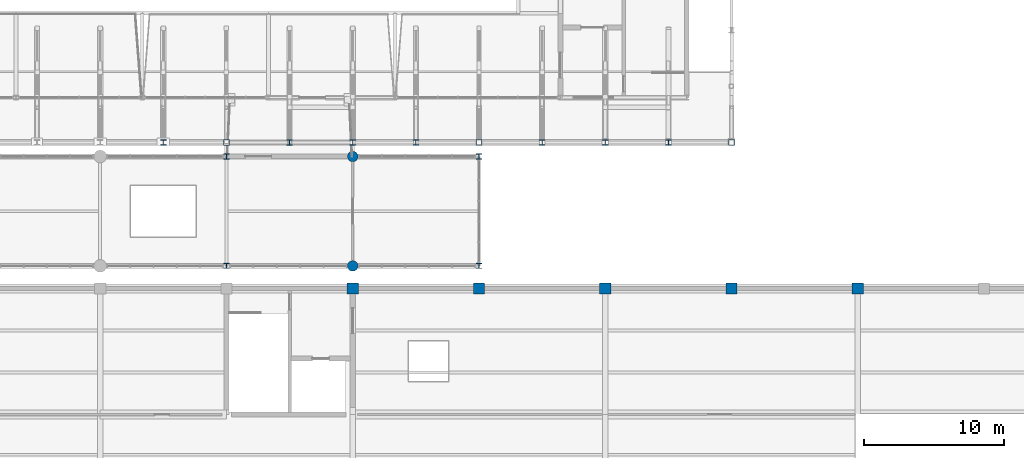
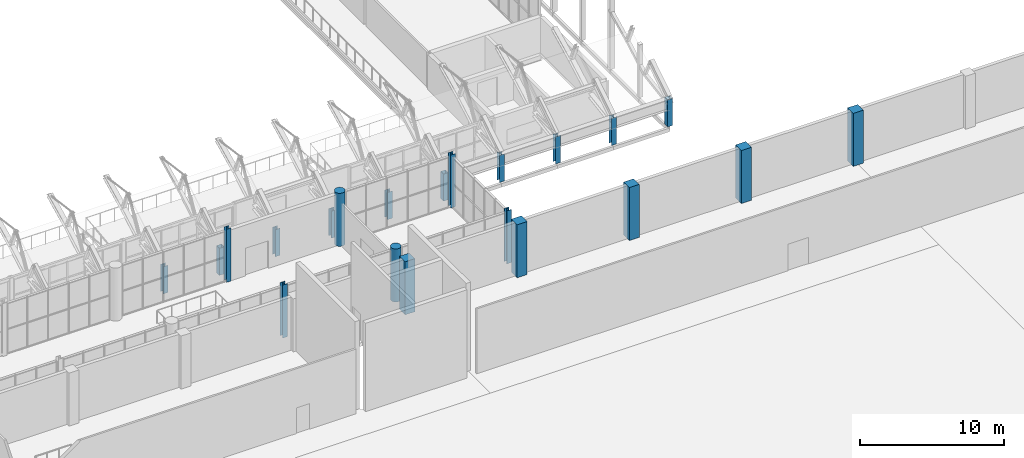
# One storey, part 17 of 134: 21 columns.
"""IFC4 building model written with IfcOpenShell, lengths in metres."""

import ifcopenshell
import ifcopenshell.guid

model = None  # the IFC model being written
_history = None  # IfcOwnerHistory: only IFC2X3 demands one
_inside = {}  # id of a spatial element -> (the spatial element, [elements in it])
_under = {}  # id of a project, library or spatial element -> (it, [spatial elements below it])
_declared = {}  # id of a project -> (the project, [libraries it declares])
_typed = {}  # id of a type object -> (the type object, [elements of that type])
_made_of = {}  # id of a material, layer set ... -> (it, [elements and type objects made of it])


def new_model(schema):
    """Start an empty IFC model of exactly this schema.

    Asked for "IFC4X3", IfcOpenShell would pick the latest addendum, in which some entities
    have other attributes; the version numbers below select the first issue.
    IFC2X3 requires an IfcOwnerHistory on every rooted entity: one is made here for all.
    """
    global model, _history
    if schema == "IFC4X3":
        model = ifcopenshell.file(schema_version=(4, 3, 0, 0))
    else:
        model = ifcopenshell.file(schema=schema)
    _inside.clear()
    _under.clear()
    _declared.clear()
    _typed.clear()
    _made_of.clear()
    _history = None
    if model.schema == "IFC2X3":
        org = make("IfcOrganization", Name="unknown")
        user = make(
            "IfcPersonAndOrganization",
            ThePerson=make("IfcPerson", FamilyName="unknown"),
            TheOrganization=org,
        )
        app = make(
            "IfcApplication",
            ApplicationDeveloper=org,
            Version="unknown",
            ApplicationFullName="unknown",
            ApplicationIdentifier="unknown",
        )
        _history = make(
            "IfcOwnerHistory",
            OwningUser=user,
            OwningApplication=app,
            ChangeAction="ADDED",
            CreationDate=0,
        )
    return model


def make(cls, **values):
    """One entity of the class cls with the attributes given. An attribute that is None is left unset."""
    return model.create_entity(
        cls, **{name: value for name, value in values.items() if value is not None}
    )


def rooted(cls, **values):
    """An entity with a GlobalId (a new one), such as an element, a storey or a relation."""
    return make(cls, GlobalId=ifcopenshell.guid.new(), OwnerHistory=_history, **values)


def si_unit(unit_type, name, prefix=None):
    """IfcSIUnit, for example si_unit("LENGTHUNIT", "METRE", prefix="MILLI")."""
    return make("IfcSIUnit", UnitType=unit_type, Prefix=prefix, Name=name)


def assignment(units):
    """IfcUnitAssignment: the units of a project."""
    return None if units is None else make("IfcUnitAssignment", Units=units)


def point(xyz):
    """IfcCartesianPoint."""
    return None if xyz is None else make("IfcCartesianPoint", Coordinates=xyz)


def direction(xyz):
    """IfcDirection."""
    return None if xyz is None else make("IfcDirection", DirectionRatios=xyz)


def frame(location, z_axis=None, x_axis=None):
    """IfcAxis2Placement3D, a coordinate frame: its origin and axes. An axis left out is left unset."""
    return make(
        "IfcAxis2Placement3D",
        Location=point(location),
        Axis=direction(z_axis),
        RefDirection=direction(x_axis),
    )


def frame_2d(location, x_axis=None):
    """IfcAxis2Placement2D, a coordinate frame in the plane: its origin and x axis."""
    return make(
        "IfcAxis2Placement2D", Location=point(location), RefDirection=direction(x_axis)
    )


def origin():
    """The frame at (0, 0, 0) with its axes left unset."""
    return frame((0.0, 0.0, 0.0))


def origin_2d():
    """The frame at (0, 0) in the plane with its x axis left unset."""
    return frame_2d((0.0, 0.0))


def place(relative_to, where):
    """IfcLocalPlacement: puts the frame where relative to a parent placement (None: the world)."""
    return make(
        "IfcLocalPlacement", PlacementRelTo=relative_to, RelativePlacement=where
    )


def context(
    kind, dimensions, precision=None, world=None, true_north=None, identifier=None
):
    """IfcGeometricRepresentationContext, for example the 3D "Model" context."""
    return make(
        "IfcGeometricRepresentationContext",
        ContextIdentifier=identifier,
        ContextType=kind,
        CoordinateSpaceDimension=dimensions,
        Precision=precision,
        WorldCoordinateSystem=world,
        TrueNorth=true_north,
    )


def subcontext(parent, identifier, kind, view, scale=None):
    """IfcGeometricRepresentationSubContext, for example "Body" below "Model"."""
    return make(
        "IfcGeometricRepresentationSubContext",
        ContextIdentifier=identifier,
        ContextType=kind,
        ParentContext=parent,
        TargetScale=scale,
        TargetView=view,
    )


def project(units=None, contexts=None):
    """IfcProject with its units and contexts."""
    return rooted(
        "IfcProject",
        Name="project",
        RepresentationContexts=contexts,
        UnitsInContext=assignment(units),
    )


def spatial(cls, under=None, at=None, **own):
    """A site, building, storey or space (cls), placed at a placement, below another one or the project."""
    s = rooted(cls, ObjectPlacement=at, **own)
    if under is not None:
        _under.setdefault(under.id(), (under, []))[1].append(s)
    return s


def profile(cls, at=None, kind="AREA", **sizes):
    """A parametric profile (cls). Its sizes go by their IFC names, for example OverallWidth=200.0."""
    return make(cls, ProfileType=kind, Position=at, **sizes)


def rectangle(**sizes):
    """IfcRectangleProfileDef."""
    return profile("IfcRectangleProfileDef", **sizes)


def hollow_rectangle(**sizes):
    """IfcRectangleHollowProfileDef."""
    return profile("IfcRectangleHollowProfileDef", **sizes)


def circle(**sizes):
    """IfcCircleProfileDef."""
    return profile("IfcCircleProfileDef", **sizes)


def i_section(**sizes):
    """IfcIShapeProfileDef."""
    return profile("IfcIShapeProfileDef", **sizes)


def extrude(swept, where, along, depth):
    """IfcExtrudedAreaSolid: the profile swept, set in the frame where, extruded along a direction by depth."""
    return make(
        "IfcExtrudedAreaSolid",
        SweptArea=swept,
        Position=where,
        ExtrudedDirection=direction(along),
        Depth=depth,
    )


def shape(context_of_items, identifier, shape_type, items):
    """IfcShapeRepresentation: the items that make up one representation, for example the "Body"."""
    return make(
        "IfcShapeRepresentation",
        ContextOfItems=context_of_items,
        RepresentationIdentifier=identifier,
        RepresentationType=shape_type,
        Items=items,
    )


def material(Name=None, Category=None):
    """IfcMaterial."""
    return make("IfcMaterial", Name=Name, Category=Category)


def material_profile(
    of_material, cross_section, Name=None, Category=None, Priority=None
):
    """IfcMaterialProfile: a cross section and its material."""
    return make(
        "IfcMaterialProfile",
        Name=Name,
        Material=of_material,
        Profile=cross_section,
        Priority=Priority,
        Category=Category,
    )


def profile_set(profiles, Name=None, composite=None):
    """IfcMaterialProfileSet."""
    return make(
        "IfcMaterialProfileSet",
        Name=Name,
        MaterialProfiles=profiles,
        CompositeProfile=composite,
    )


def made_of(thing, what):
    """Note that an element or type object is made of a material, layer set ...; save() writes the relation."""
    if what is not None:
        _made_of.setdefault(what.id(), (what, []))[1].append(thing)
    return thing


def type_object(cls, material=None, **own):
    """A type object (cls), such as IfcWallType, which elements share."""
    return made_of(rooted(cls, **own), material)


def element(
    cls,
    number,
    at=None,
    inside=None,
    cuts=None,
    type_object=None,
    material=None,
    context=None,
    identifier="Body",
    shape_type=None,
    held_by="IfcProductDefinitionShape",
    body=None,
    shapes=None,
    **own,
):
    """One element of the class cls, such as IfcWall. Its Tag is "e" and its number.

    at: its placement. inside: the storey or other place that contains it. cuts: it is an
    opening in that element (IfcRelVoidsElement). A single representation is given by context,
    identifier, shape_type and body (its items); several are given by shapes. held_by: the class
    of the entity that holds the representations. save() writes the other relations.
    """
    e = rooted(cls, Tag="e%d" % number, ObjectPlacement=at, **own)
    if body is not None:
        shapes = [shape(context, identifier, shape_type, body)]
    if shapes is not None:
        e.Representation = make(held_by, Representations=shapes)
    if inside is not None:
        _inside.setdefault(inside.id(), (inside, []))[1].append(e)
    if cuts is not None:
        rooted(
            "IfcRelVoidsElement", RelatingBuildingElement=cuts, RelatedOpeningElement=e
        )
    if type_object is not None:
        _typed.setdefault(type_object.id(), (type_object, []))[1].append(e)
    return made_of(e, material)


def aggregate(whole, parts):
    """IfcRelAggregates: a whole, such as a stair, and the parts it consists of."""
    return rooted("IfcRelAggregates", RelatingObject=whole, RelatedObjects=parts)


def save(model, path):
    """Write the relations noted so far, then the file.

    IfcRelAggregates (storeys below a building ...), IfcRelContainedInSpatialStructure (elements
    in a storey), IfcRelDefinesByType, IfcRelAssociatesMaterial and IfcRelDeclares: one each for
    every whole, place, type object, material and project.
    """
    for whole, parts in _under.values():
        aggregate(whole, parts)
    for where, things in _inside.values():
        rooted(
            "IfcRelContainedInSpatialStructure",
            RelatedElements=things,
            RelatingStructure=where,
        )
    for kind, things in _typed.values():
        rooted("IfcRelDefinesByType", RelatedObjects=things, RelatingType=kind)
    for what, things in _made_of.values():
        rooted("IfcRelAssociatesMaterial", RelatedObjects=things, RelatingMaterial=what)
    for by, libraries in _declared.values():
        rooted("IfcRelDeclares", RelatingContext=by, RelatedDefinitions=libraries)
    model.write(path)


model = new_model("IFC4")

# Units and contexts
model_context = context("Model", 3, precision=1e-05, world=origin(), true_north=direction((0.0, 1.0)))
body_context = subcontext(model_context, "Body", "Model", "MODEL_VIEW")
ifc_project = project(units=[si_unit("LENGTHUNIT", "METRE"), si_unit("AREAUNIT", "SQUARE_METRE"), si_unit("VOLUMEUNIT", "CUBIC_METRE"), si_unit("PLANEANGLEUNIT", "RADIAN"), si_unit("MASSUNIT", "GRAM", prefix="KILO")], contexts=[model_context])

# Site, building, storey
site_placement = place(None, origin())
site = spatial("IfcSite", under=ifc_project, at=site_placement, CompositionType="ELEMENT")
building_placement = place(site_placement, origin())
building = spatial("IfcBuilding", under=site, at=building_placement, Name="Cazmaro Siding Exhibition Halls", CompositionType="ELEMENT")
storey_placement = place(building_placement, frame((0.0, 0.0, 12.0)))
storey = spatial("IfcBuildingStorey", under=building, at=storey_placement, Name="L02", CompositionType="ELEMENT", Elevation=12.0)

# Columns
ifc_material_1 = material(Name="Steel ASTM A992 Grade 50", Category="steel")
ifc_material_profile_1 = material_profile(ifc_material_1, i_section(OverallWidth=0.39208984375, OverallDepth=0.3759765625, WebThickness=0.01708984375, FlangeThickness=0.028076171875, at=origin_2d()), Name="W14X145")
ifc_profile_set_1 = profile_set([ifc_material_profile_1], Name="Steel ASTM A992 Grade 50")
column_type_1 = type_object("IfcColumnType", Name="C-03", PredefinedType="COLUMN", material=ifc_profile_set_1)
for number, where, z_axis, x_axis, name in (
    (1, (130.5, 64.0, 0.0), (0.0, 0.0, 1.0), (1.0, 0.0, 0.0), "Column C-03 COL-0117"),
    (2, (139.5, 64.0, 0.0), (0.0, 0.0, 1.0), (1.0, 0.0, 0.0), "Column C-03 COL-0129"),
    (3, (148.5, 64.0, 0.0), (0.0, 0.0, 1.0), (1.0, 0.0, 0.0), "Column C-03 COL-0141"),
    (4, (157.5, 64.0, 0.0), (0.0, 0.0, 1.0), (1.0, 0.0, 0.0), "Column C-03 COL-0153"),
    (5, (166.5, 64.0, 0.0), (0.0, 0.0, 1.0), (1.0, 0.0, 0.0), "Column C-03 COL-0165"),
):
    element("IfcColumn", number, at=place(storey_placement, frame(where, z_axis=z_axis, x_axis=x_axis)), inside=storey, type_object=column_type_1, Name=name, PredefinedType="COLUMN", context=body_context, shape_type="SweptSolid", body=[
        extrude(i_section(OverallWidth=0.39208984375, OverallDepth=0.3759765625, WebThickness=0.01708984375, FlangeThickness=0.028076171875, at=origin_2d()), origin(), (0.0, 0.0, 1.0), 2.300048828125),
    ])
ifc_material_2 = material(Name="Concrete f'c 45 MPa", Category="concrete")
ifc_material_profile_2 = material_profile(ifc_material_2, rectangle(XDim=0.800048828125, YDim=0.800048828125, at=origin_2d()), Name="RC800X800")
ifc_profile_set_2 = profile_set([ifc_material_profile_2], Name="Concrete f'c 45 MPa")
column_type_2 = type_object("IfcColumnType", Name="C-08", PredefinedType="COLUMN", material=ifc_profile_set_2)
for number, where, z_axis, x_axis, name in (
    (6, (144.0, 53.60009765625, 0.0), (0.0, 0.0, 1.0), (1.0, 0.0, 0.0), "Column C-08 COL-0615"),
    (7, (153.0, 53.60009765625, 0.0), (0.0, 0.0, 1.0), (1.0, 0.0, 0.0), "Column C-08 COL-0623"),
    (8, (162.0, 53.60009765625, 0.0), (0.0, 0.0, 1.0), (1.0, 0.0, 0.0), "Column C-08 COL-0627"),
    (9, (171.0, 53.60009765625, 0.0), (0.0, 0.0, 1.0), (1.0, 0.0, 0.0), "Column C-08 COL-0635"),
    (10, (180.0, 53.60009765625, 0.0), (0.0, 0.0, 1.0), (1.0, 0.0, 0.0), "Column C-08 COL-0639"),
):
    element("IfcColumn", number, at=place(storey_placement, frame(where, z_axis=z_axis, x_axis=x_axis)), inside=storey, type_object=column_type_2, Name=name, PredefinedType="COLUMN", context=body_context, shape_type="SweptSolid", body=[
        extrude(rectangle(XDim=0.800048828125, YDim=0.800048828125, at=origin_2d()), origin(), (0.0, 0.0, 1.0), 4.5),
    ])
ifc_material_3 = material(Name="Steel ASTM A992 Grade 50", Category="steel")
ifc_material_profile_3 = material_profile(ifc_material_3, i_section(OverallWidth=0.39892578125, OverallDepth=0.386962890625, WebThickness=0.02099609375, FlangeThickness=0.032958984375, at=origin_2d()), Name="W14X176")
ifc_profile_set_3 = profile_set([ifc_material_profile_3], Name="Steel ASTM A992 Grade 50")
column_type_3 = type_object("IfcColumnType", Name="C-11", PredefinedType="COLUMN", material=ifc_profile_set_3)
for number, where, z_axis, x_axis, name in (
    (11, (144.0, 64.0, 0.0), (0.0, 0.0, 1.0), (1.0, 0.0, 0.0), "Column C-11 COL-0135"),
    (12, (162.0, 64.0, 0.0), (0.0, 0.0, 1.0), (1.0, 0.0, 0.0), "Column C-11 COL-0159"),
):
    element("IfcColumn", number, at=place(storey_placement, frame(where, z_axis=z_axis, x_axis=x_axis)), inside=storey, type_object=column_type_3, Name=name, PredefinedType="COLUMN", context=body_context, shape_type="SweptSolid", body=[
        extrude(i_section(OverallWidth=0.39892578125, OverallDepth=0.386962890625, WebThickness=0.02099609375, FlangeThickness=0.032958984375, at=origin_2d()), origin(), (0.0, 0.0, 1.0), 2.300048828125),
    ])
ifc_material_4 = material(Name="Steel ASTM A992 Grade 50", Category="steel")
ifc_material_profile_4 = material_profile(ifc_material_4, i_section(OverallWidth=0.37109375, OverallDepth=0.364013671875, WebThickness=0.012939453125, FlangeThickness=0.02197265625, at=origin_2d()), Name="W14X109")
ifc_profile_set_4 = profile_set([ifc_material_profile_4], Name="Steel ASTM A992 Grade 50")
column_type_4 = type_object("IfcColumnType", Name="C-12", PredefinedType="COLUMN", material=ifc_profile_set_4)
for number, where, z_axis, x_axis, name in (
    (13, (135.0, 55.199951171875, 0.0), (0.0, 0.0, 1.0), (1.0, 0.0, 0.0), "Column C-12 COL-0773"),
    (14, (135.0, 63.0, 0.0), (0.0, 0.0, 1.0), (1.0, 0.0, 0.0), "Column C-12 COL-0776"),
    (15, (153.0, 55.199951171875, 0.0), (0.0, 0.0, 1.0), (1.0, 0.0, 0.0), "Column C-12 COL-0785"),
    (16, (153.0, 63.0, 0.0), (0.0, 0.0, 1.0), (1.0, 0.0, 0.0), "Column C-12 COL-0788"),
):
    element("IfcColumn", number, at=place(storey_placement, frame(where, z_axis=z_axis, x_axis=x_axis)), inside=storey, type_object=column_type_4, Name=name, PredefinedType="COLUMN", context=body_context, shape_type="SweptSolid", body=[
        extrude(i_section(OverallWidth=0.37109375, OverallDepth=0.364013671875, WebThickness=0.012939453125, FlangeThickness=0.02197265625, at=origin_2d()), origin(), (0.0, 0.0, 1.0), 4.5),
    ])
ifc_material_5 = material(Name="Steel ASTM A500 Grade C", Category="steel")
ifc_material_profile_5 = material_profile(ifc_material_5, hollow_rectangle(XDim=0.406005859375, YDim=0.406005859375, WallThickness=0.014892578125, at=origin_2d()), Name="HSS16X16X5/8")
ifc_profile_set_5 = profile_set([ifc_material_profile_5], Name="Steel ASTM A500 Grade C")
column_type_5 = type_object("IfcColumnType", Name="PL-01", PredefinedType="PILASTER", material=ifc_profile_set_5)
for number, where, z_axis, x_axis, name in (
    (17, (135.0, 64.0, 0.0), (0.0, 0.0, 1.0), (1.0, 0.0, 0.0), "Column PL-01 COL-0123"),
    (18, (153.0, 64.0, 0.0), (0.0, 0.0, 1.0), (1.0, 0.0, 0.0), "Column PL-01 COL-0147"),
    (19, (171.0, 64.0, 0.0), (0.0, 0.0, 1.0), (1.0, 0.0, 0.0), "Column PL-01 COL-0171"),
):
    element("IfcColumn", number, at=place(storey_placement, frame(where, z_axis=z_axis, x_axis=x_axis)), inside=storey, type_object=column_type_5, Name=name, PredefinedType="PILASTER", context=body_context, shape_type="SweptSolid", body=[
        extrude(hollow_rectangle(XDim=0.406005859375, YDim=0.406005859375, WallThickness=0.014892578125, at=origin_2d()), origin(), (0.0, 0.0, 1.0), 2.300048828125),
    ])
ifc_material_6 = material(Name="Concrete f'c 45 MPa", Category="concrete")
ifc_material_profile_6 = material_profile(ifc_material_6, circle(Radius=0.375, at=origin_2d()), Name="RC750DIA")
ifc_profile_set_6 = profile_set([ifc_material_profile_6], Name="Concrete f'c 45 MPa")
column_type_6 = type_object("IfcColumnType", Name="PL-03", PredefinedType="PILASTER", material=ifc_profile_set_6)
for number, where, z_axis, x_axis, name in (
    (20, (144.0, 55.199951171875, 0.0), (0.0, 0.0, 1.0), (1.0, 0.0, 0.0), "Column PL-03 COL-0779"),
    (21, (144.0, 63.0, 0.0), (0.0, 0.0, 1.0), (1.0, 0.0, 0.0), "Column PL-03 COL-0782"),
):
    element("IfcColumn", number, at=place(storey_placement, frame(where, z_axis=z_axis, x_axis=x_axis)), inside=storey, type_object=column_type_6, Name=name, PredefinedType="PILASTER", context=body_context, shape_type="SweptSolid", body=[
        extrude(circle(Radius=0.375, at=origin_2d()), origin(), (0.0, 0.0, 1.0), 4.5),
    ])

save(model, "model.ifc")
